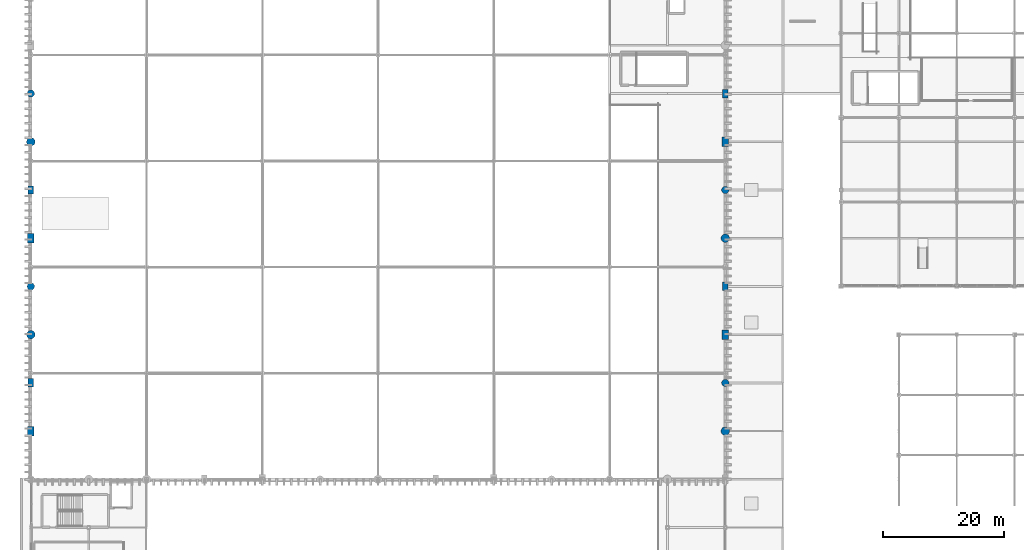
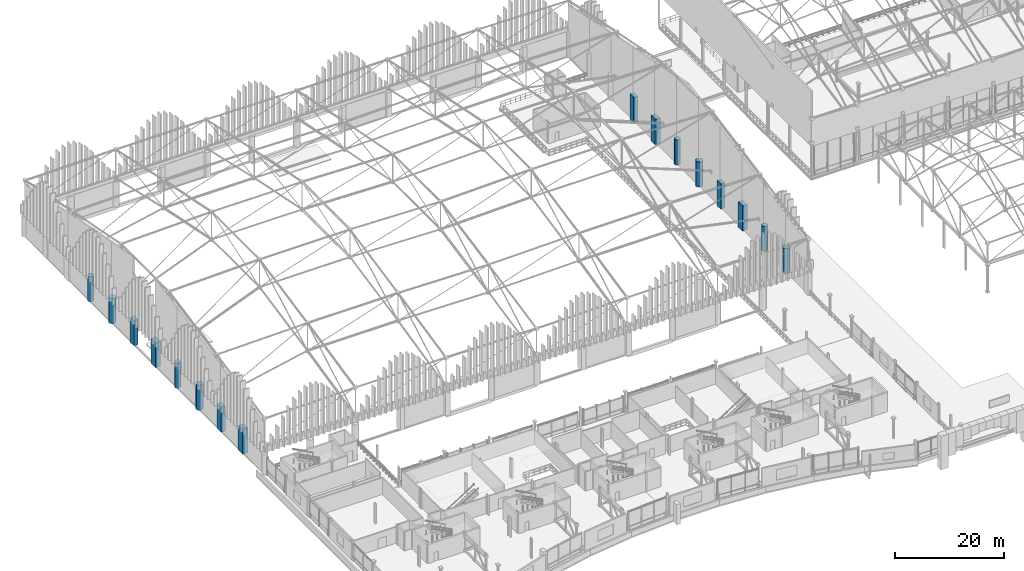
# One storey, part 9 of 193: 16 columns.
"""IFC4 building model written with IfcOpenShell, lengths in metres."""

import ifcopenshell
import ifcopenshell.guid

model = None  # the IFC model being written
_history = None  # IfcOwnerHistory: only IFC2X3 demands one
_inside = {}  # id of a spatial element -> (the spatial element, [elements in it])
_under = {}  # id of a project, library or spatial element -> (it, [spatial elements below it])
_declared = {}  # id of a project -> (the project, [libraries it declares])
_typed = {}  # id of a type object -> (the type object, [elements of that type])
_made_of = {}  # id of a material, layer set ... -> (it, [elements and type objects made of it])


def new_model(schema):
    """Start an empty IFC model of exactly this schema.

    Asked for "IFC4X3", IfcOpenShell would pick the latest addendum, in which some entities
    have other attributes; the version numbers below select the first issue.
    IFC2X3 requires an IfcOwnerHistory on every rooted entity: one is made here for all.
    """
    global model, _history
    if schema == "IFC4X3":
        model = ifcopenshell.file(schema_version=(4, 3, 0, 0))
    else:
        model = ifcopenshell.file(schema=schema)
    _inside.clear()
    _under.clear()
    _declared.clear()
    _typed.clear()
    _made_of.clear()
    _history = None
    if model.schema == "IFC2X3":
        org = make("IfcOrganization", Name="unknown")
        user = make(
            "IfcPersonAndOrganization",
            ThePerson=make("IfcPerson", FamilyName="unknown"),
            TheOrganization=org,
        )
        app = make(
            "IfcApplication",
            ApplicationDeveloper=org,
            Version="unknown",
            ApplicationFullName="unknown",
            ApplicationIdentifier="unknown",
        )
        _history = make(
            "IfcOwnerHistory",
            OwningUser=user,
            OwningApplication=app,
            ChangeAction="ADDED",
            CreationDate=0,
        )
    return model


def make(cls, **values):
    """One entity of the class cls with the attributes given. An attribute that is None is left unset."""
    return model.create_entity(
        cls, **{name: value for name, value in values.items() if value is not None}
    )


def rooted(cls, **values):
    """An entity with a GlobalId (a new one), such as an element, a storey or a relation."""
    return make(cls, GlobalId=ifcopenshell.guid.new(), OwnerHistory=_history, **values)


def si_unit(unit_type, name, prefix=None):
    """IfcSIUnit, for example si_unit("LENGTHUNIT", "METRE", prefix="MILLI")."""
    return make("IfcSIUnit", UnitType=unit_type, Prefix=prefix, Name=name)


def assignment(units):
    """IfcUnitAssignment: the units of a project."""
    return None if units is None else make("IfcUnitAssignment", Units=units)


def point(xyz):
    """IfcCartesianPoint."""
    return None if xyz is None else make("IfcCartesianPoint", Coordinates=xyz)


def direction(xyz):
    """IfcDirection."""
    return None if xyz is None else make("IfcDirection", DirectionRatios=xyz)


def frame(location, z_axis=None, x_axis=None):
    """IfcAxis2Placement3D, a coordinate frame: its origin and axes. An axis left out is left unset."""
    return make(
        "IfcAxis2Placement3D",
        Location=point(location),
        Axis=direction(z_axis),
        RefDirection=direction(x_axis),
    )


def frame_2d(location, x_axis=None):
    """IfcAxis2Placement2D, a coordinate frame in the plane: its origin and x axis."""
    return make(
        "IfcAxis2Placement2D", Location=point(location), RefDirection=direction(x_axis)
    )


def origin():
    """The frame at (0, 0, 0) with its axes left unset."""
    return frame((0.0, 0.0, 0.0))


def origin_2d():
    """The frame at (0, 0) in the plane with its x axis left unset."""
    return frame_2d((0.0, 0.0))


def place(relative_to, where):
    """IfcLocalPlacement: puts the frame where relative to a parent placement (None: the world)."""
    return make(
        "IfcLocalPlacement", PlacementRelTo=relative_to, RelativePlacement=where
    )


def context(
    kind, dimensions, precision=None, world=None, true_north=None, identifier=None
):
    """IfcGeometricRepresentationContext, for example the 3D "Model" context."""
    return make(
        "IfcGeometricRepresentationContext",
        ContextIdentifier=identifier,
        ContextType=kind,
        CoordinateSpaceDimension=dimensions,
        Precision=precision,
        WorldCoordinateSystem=world,
        TrueNorth=true_north,
    )


def subcontext(parent, identifier, kind, view, scale=None):
    """IfcGeometricRepresentationSubContext, for example "Body" below "Model"."""
    return make(
        "IfcGeometricRepresentationSubContext",
        ContextIdentifier=identifier,
        ContextType=kind,
        ParentContext=parent,
        TargetScale=scale,
        TargetView=view,
    )


def project(units=None, contexts=None):
    """IfcProject with its units and contexts."""
    return rooted(
        "IfcProject",
        Name="project",
        RepresentationContexts=contexts,
        UnitsInContext=assignment(units),
    )


def spatial(cls, under=None, at=None, **own):
    """A site, building, storey or space (cls), placed at a placement, below another one or the project."""
    s = rooted(cls, ObjectPlacement=at, **own)
    if under is not None:
        _under.setdefault(under.id(), (under, []))[1].append(s)
    return s


def profile(cls, at=None, kind="AREA", **sizes):
    """A parametric profile (cls). Its sizes go by their IFC names, for example OverallWidth=200.0."""
    return make(cls, ProfileType=kind, Position=at, **sizes)


def rectangle(**sizes):
    """IfcRectangleProfileDef."""
    return profile("IfcRectangleProfileDef", **sizes)


def circle(**sizes):
    """IfcCircleProfileDef."""
    return profile("IfcCircleProfileDef", **sizes)


def extrude(swept, where, along, depth):
    """IfcExtrudedAreaSolid: the profile swept, set in the frame where, extruded along a direction by depth."""
    return make(
        "IfcExtrudedAreaSolid",
        SweptArea=swept,
        Position=where,
        ExtrudedDirection=direction(along),
        Depth=depth,
    )


def shape(context_of_items, identifier, shape_type, items):
    """IfcShapeRepresentation: the items that make up one representation, for example the "Body"."""
    return make(
        "IfcShapeRepresentation",
        ContextOfItems=context_of_items,
        RepresentationIdentifier=identifier,
        RepresentationType=shape_type,
        Items=items,
    )


def material(Name=None, Category=None):
    """IfcMaterial."""
    return make("IfcMaterial", Name=Name, Category=Category)


def material_profile(
    of_material, cross_section, Name=None, Category=None, Priority=None
):
    """IfcMaterialProfile: a cross section and its material."""
    return make(
        "IfcMaterialProfile",
        Name=Name,
        Material=of_material,
        Profile=cross_section,
        Priority=Priority,
        Category=Category,
    )


def profile_set(profiles, Name=None, composite=None):
    """IfcMaterialProfileSet."""
    return make(
        "IfcMaterialProfileSet",
        Name=Name,
        MaterialProfiles=profiles,
        CompositeProfile=composite,
    )


def made_of(thing, what):
    """Note that an element or type object is made of a material, layer set ...; save() writes the relation."""
    if what is not None:
        _made_of.setdefault(what.id(), (what, []))[1].append(thing)
    return thing


def type_object(cls, material=None, **own):
    """A type object (cls), such as IfcWallType, which elements share."""
    return made_of(rooted(cls, **own), material)


def element(
    cls,
    number,
    at=None,
    inside=None,
    cuts=None,
    type_object=None,
    material=None,
    context=None,
    identifier="Body",
    shape_type=None,
    held_by="IfcProductDefinitionShape",
    body=None,
    shapes=None,
    **own,
):
    """One element of the class cls, such as IfcWall. Its Tag is "e" and its number.

    at: its placement. inside: the storey or other place that contains it. cuts: it is an
    opening in that element (IfcRelVoidsElement). A single representation is given by context,
    identifier, shape_type and body (its items); several are given by shapes. held_by: the class
    of the entity that holds the representations. save() writes the other relations.
    """
    e = rooted(cls, Tag="e%d" % number, ObjectPlacement=at, **own)
    if body is not None:
        shapes = [shape(context, identifier, shape_type, body)]
    if shapes is not None:
        e.Representation = make(held_by, Representations=shapes)
    if inside is not None:
        _inside.setdefault(inside.id(), (inside, []))[1].append(e)
    if cuts is not None:
        rooted(
            "IfcRelVoidsElement", RelatingBuildingElement=cuts, RelatedOpeningElement=e
        )
    if type_object is not None:
        _typed.setdefault(type_object.id(), (type_object, []))[1].append(e)
    return made_of(e, material)


def aggregate(whole, parts):
    """IfcRelAggregates: a whole, such as a stair, and the parts it consists of."""
    return rooted("IfcRelAggregates", RelatingObject=whole, RelatedObjects=parts)


def save(model, path):
    """Write the relations noted so far, then the file.

    IfcRelAggregates (storeys below a building ...), IfcRelContainedInSpatialStructure (elements
    in a storey), IfcRelDefinesByType, IfcRelAssociatesMaterial and IfcRelDeclares: one each for
    every whole, place, type object, material and project.
    """
    for whole, parts in _under.values():
        aggregate(whole, parts)
    for where, things in _inside.values():
        rooted(
            "IfcRelContainedInSpatialStructure",
            RelatedElements=things,
            RelatingStructure=where,
        )
    for kind, things in _typed.values():
        rooted("IfcRelDefinesByType", RelatedObjects=things, RelatingType=kind)
    for what, things in _made_of.values():
        rooted("IfcRelAssociatesMaterial", RelatedObjects=things, RelatingMaterial=what)
    for by, libraries in _declared.values():
        rooted("IfcRelDeclares", RelatingContext=by, RelatedDefinitions=libraries)
    model.write(path)


model = new_model("IFC4")

# Units and contexts
model_context = context("Model", 3, precision=1e-05, world=origin(), true_north=direction((0.0, 1.0)))
body_context = subcontext(model_context, "Body", "Model", "MODEL_VIEW")
ifc_project = project(units=[si_unit("LENGTHUNIT", "METRE"), si_unit("AREAUNIT", "SQUARE_METRE"), si_unit("VOLUMEUNIT", "CUBIC_METRE"), si_unit("PLANEANGLEUNIT", "RADIAN"), si_unit("MASSUNIT", "GRAM", prefix="KILO")], contexts=[model_context])

# Site, building, storey
site_placement = place(None, origin())
site = spatial("IfcSite", under=ifc_project, at=site_placement, CompositionType="ELEMENT")
building_placement = place(site_placement, origin())
building = spatial("IfcBuilding", under=site, at=building_placement, Name="Danafjord Basin Convention Centre", CompositionType="ELEMENT")
storey_placement = place(building_placement, frame((0.0, 0.0, 11.39990234375)))
storey = spatial("IfcBuildingStorey", under=building, at=storey_placement, Name="L02", CompositionType="ELEMENT", Elevation=11.39990234375)

# Columns
ifc_material = material(Name="Concrete C50/60", Category="concrete")
ifc_material_profile_1 = material_profile(ifc_material, rectangle(XDim=0.89990234375, YDim=1.39990234375, at=origin_2d()), Name="RC 1400x900")
ifc_profile_set_1 = profile_set([ifc_material_profile_1], Name="Concrete C50/60")
column_type_1 = type_object("IfcColumnType", Name="COL-C-RC1400", PredefinedType="COLUMN", material=ifc_profile_set_1)
for number, where, z_axis, x_axis, name in (
    (1, (0.0, 72.0, 0.0), (0.0, 0.0, 1.0), (1.0, 0.0, 0.0), "L02 column C-RC1400 at (0.0, 72.0)"),
    (2, (0.0, 104.0, 0.0), (0.0, 0.0, 1.0), (1.0, 0.0, 0.0), "L02 column C-RC1400 at (0.0, 104.0)"),
    (3, (115.199951171875, 88.0, 0.0), (0.0, 0.0, 1.0), (1.0, 0.0, 0.0), "L02 column C-RC1400 at (115.2, 88.0)"),
    (4, (115.199951171875, 120.0, 0.0), (0.0, 0.0, 1.0), (1.0, 0.0, 0.0), "L02 column C-RC1400 at (115.2, 120.0)"),
):
    element("IfcColumn", number, at=place(storey_placement, frame(where, z_axis=z_axis, x_axis=x_axis)), inside=storey, type_object=column_type_1, Name=name, PredefinedType="COLUMN", context=body_context, shape_type="SweptSolid", body=[
        extrude(rectangle(XDim=0.89990234375, YDim=1.39990234375, at=origin_2d()), origin(), (0.0, 0.0, 1.0), 5.6201171875),
    ])
ifc_material_profile_2 = material_profile(ifc_material, rectangle(XDim=1.10009765625, YDim=1.60009765625, at=origin_2d()), Name="RC 1600x1100")
ifc_profile_set_2 = profile_set([ifc_material_profile_2], Name="Concrete C50/60")
column_type_2 = type_object("IfcColumnType", Name="COL-C-RC1600", PredefinedType="COLUMN", material=ifc_profile_set_2)
for number, where, z_axis, x_axis, name in (
    (5, (0.0, 64.0, 0.0), (0.0, 0.0, 1.0), (1.0, 0.0, 0.0), "L02 column C-RC1600 at (0.0, 64.0)"),
    (6, (0.0, 96.0, 0.0), (0.0, 0.0, 1.0), (1.0, 0.0, 0.0), "L02 column C-RC1600 at (0.0, 96.0)"),
    (7, (115.199951171875, 80.0, 0.0), (0.0, 0.0, 1.0), (1.0, 0.0, 0.0), "L02 column C-RC1600 at (115.2, 80.0)"),
    (8, (115.199951171875, 112.0, 0.0), (0.0, 0.0, 1.0), (1.0, 0.0, 0.0), "L02 column C-RC1600 at (115.2, 112.0)"),
):
    element("IfcColumn", number, at=place(storey_placement, frame(where, z_axis=z_axis, x_axis=x_axis)), inside=storey, type_object=column_type_2, Name=name, PredefinedType="COLUMN", context=body_context, shape_type="SweptSolid", body=[
        extrude(rectangle(XDim=1.10009765625, YDim=1.60009765625, at=origin_2d()), origin(), (0.0, 0.0, 1.0), 5.6201171875),
    ])
ifc_material_profile_3 = material_profile(ifc_material, circle(Radius=0.60009765625, at=origin_2d()), Name="RC D1200")
ifc_profile_set_3 = profile_set([ifc_material_profile_3], Name="Concrete C50/60")
column_type_3 = type_object("IfcColumnType", Name="COL-C-RCD1200", PredefinedType="COLUMN", material=ifc_profile_set_3)
for number, where, z_axis, x_axis, name in (
    (9, (0.0, 88.0, 0.0), (0.0, 0.0, 1.0), (1.0, 0.0, 0.0), "L02 column C-RCD1200 at (0.0, 88.0)"),
    (10, (0.0, 120.0, 0.0), (0.0, 0.0, 1.0), (1.0, 0.0, 0.0), "L02 column C-RCD1200 at (0.0, 120.0)"),
    (11, (115.199951171875, 72.0, 0.0), (0.0, 0.0, 1.0), (1.0, 0.0, 0.0), "L02 column C-RCD1200 at (115.2, 72.0)"),
    (12, (115.199951171875, 104.0, 0.0), (0.0, 0.0, 1.0), (1.0, 0.0, 0.0), "L02 column C-RCD1200 at (115.2, 104.0)"),
):
    element("IfcColumn", number, at=place(storey_placement, frame(where, z_axis=z_axis, x_axis=x_axis)), inside=storey, type_object=column_type_3, Name=name, PredefinedType="COLUMN", context=body_context, shape_type="SweptSolid", body=[
        extrude(circle(Radius=0.60009765625, at=origin_2d()), origin(), (0.0, 0.0, 1.0), 5.6201171875),
    ])
ifc_material_profile_4 = material_profile(ifc_material, circle(Radius=0.699951171875, at=origin_2d()), Name="RC D1400")
ifc_profile_set_4 = profile_set([ifc_material_profile_4], Name="Concrete C50/60")
column_type_4 = type_object("IfcColumnType", Name="COL-C-RCD1400", PredefinedType="COLUMN", material=ifc_profile_set_4)
for number, where, z_axis, x_axis, name in (
    (13, (0.0, 80.0, 0.0), (0.0, 0.0, 1.0), (1.0, 0.0, 0.0), "L02 column C-RCD1400 at (0.0, 80.0)"),
    (14, (0.0, 112.0, 0.0), (0.0, 0.0, 1.0), (1.0, 0.0, 0.0), "L02 column C-RCD1400 at (0.0, 112.0)"),
    (15, (115.199951171875, 64.0, 0.0), (0.0, 0.0, 1.0), (1.0, 0.0, 0.0), "L02 column C-RCD1400 at (115.2, 64.0)"),
    (16, (115.199951171875, 96.0, 0.0), (0.0, 0.0, 1.0), (1.0, 0.0, 0.0), "L02 column C-RCD1400 at (115.2, 96.0)"),
):
    element("IfcColumn", number, at=place(storey_placement, frame(where, z_axis=z_axis, x_axis=x_axis)), inside=storey, type_object=column_type_4, Name=name, PredefinedType="COLUMN", context=body_context, shape_type="SweptSolid", body=[
        extrude(circle(Radius=0.699951171875, at=origin_2d()), origin(), (0.0, 0.0, 1.0), 5.6201171875),
    ])

save(model, "model.ifc")
